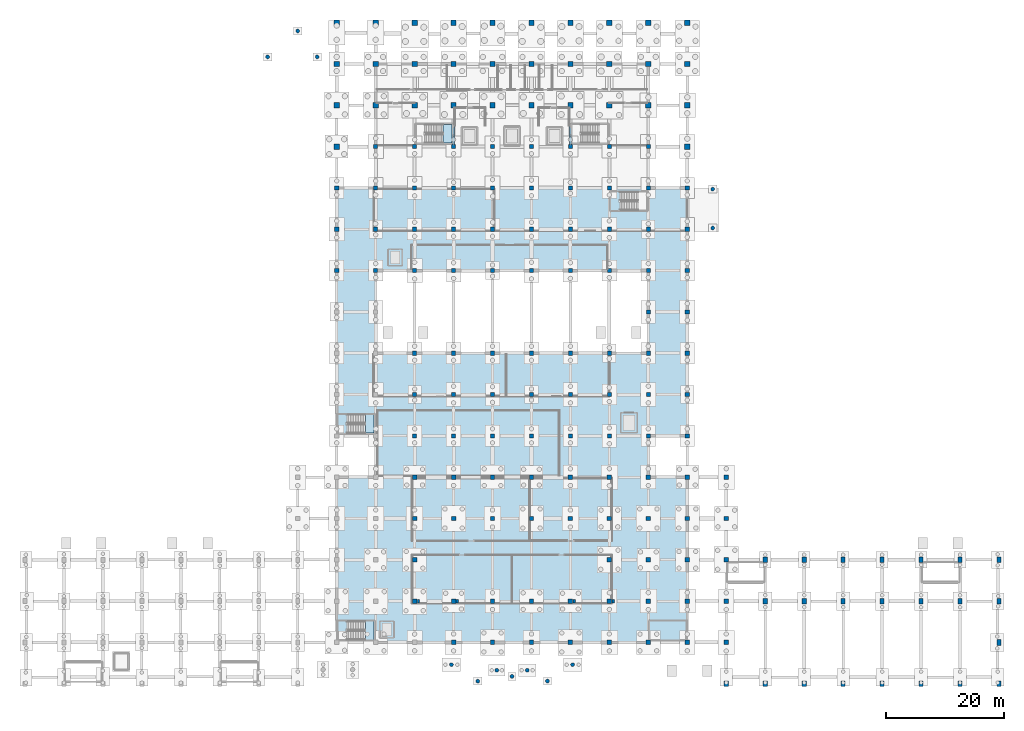
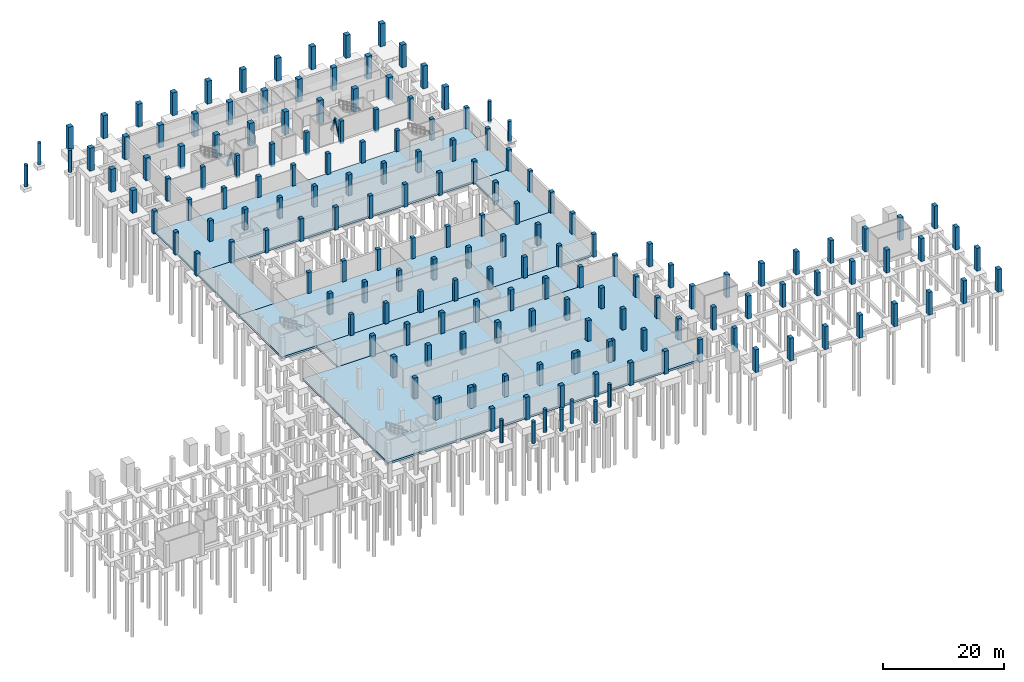
# One storey, part 13 of 27: 175 columns, 9 slabs, 4 members, 3 elements without a shape of their own.
"""IFC4 building model written with IfcOpenShell, lengths in metres."""

from ifc_helpers import new_model, si_unit, direction, frame, origin, origin_2d, place, context, subcontext, project, spatial, polyline, rectangle, circle, i_section, outline, extrude, material, layer, layer_set, material_profile, profile_set, type_object, element, aggregate, save


model = new_model("IFC4")

# Units and contexts
model_context = context("Model", 3, precision=1e-05, world=origin(), true_north=direction((0.0, 1.0)))
body_context = subcontext(model_context, "Body", "Model", "MODEL_VIEW")
ifc_project = project(units=[si_unit("LENGTHUNIT", "METRE"), si_unit("AREAUNIT", "SQUARE_METRE"), si_unit("VOLUMEUNIT", "CUBIC_METRE"), si_unit("PLANEANGLEUNIT", "RADIAN"), si_unit("MASSUNIT", "GRAM", prefix="KILO")], contexts=[model_context])

# Site, building, storey
site_placement = place(None, origin())
site = spatial("IfcSite", under=ifc_project, at=site_placement, CompositionType="ELEMENT")
building_placement = place(site_placement, origin())
building = spatial("IfcBuilding", under=site, at=building_placement, Name="Ciguamira Faculty of Natural Sciences", CompositionType="ELEMENT")
storey_placement = place(building_placement, frame((0.0, 0.0, -4.199951171875)))
storey = spatial("IfcBuildingStorey", under=building, at=storey_placement, Name="B1", CompositionType="ELEMENT", Elevation=-4.199951171875)

# Columns
ifc_material_1 = material(Name="Concrete C45/55", Category="concrete")
ifc_material_profile_1 = material_profile(ifc_material_1, rectangle(XDim=0.89990234375, YDim=0.89990234375, at=origin_2d()), Name="RC-COL-900X900")
ifc_profile_set_1 = profile_set([ifc_material_profile_1], Name="Concrete C45/55")
column_type_1 = type_object("IfcColumnType", Name="Col_C-01_RC-COL-900X900", PredefinedType="COLUMN", material=ifc_profile_set_1)
for number, where, z_axis, x_axis, name in (
    (1, (57.300048828125, 94.0, -0.400146484375), (0.0, 0.0, 1.0), (1.0, 0.0, 0.0), "B1 column 9/P"),
    (2, (57.300048828125, 101.0, -0.400146484375), (0.0, 0.0, 1.0), (1.0, 0.0, 0.0), "B1 column 9/Q"),
    (3, (57.300048828125, 108.0, -0.400146484375), (0.0, 0.0, 1.0), (1.0, 0.0, 0.0), "B1 column 9/R"),
    (4, (57.300048828125, 115.0, -0.400146484375), (0.0, 0.0, 1.0), (1.0, 0.0, 0.0), "B1 column 9/S"),
    (5, (63.89990234375, 101.0, -0.400146484375), (0.0, 0.0, 1.0), (1.0, 0.0, 0.0), "B1 column 10/Q"),
    (6, (63.89990234375, 108.0, -0.400146484375), (0.0, 0.0, 1.0), (1.0, 0.0, 0.0), "B1 column 10/R"),
    (7, (63.89990234375, 115.0, -0.400146484375), (0.0, 0.0, 1.0), (1.0, 0.0, 0.0), "B1 column 10/S"),
    (8, (70.5, 101.0, -0.400146484375), (0.0, 0.0, 1.0), (1.0, 0.0, 0.0), "B1 column 11/Q"),
    (9, (70.5, 108.0, -0.400146484375), (0.0, 0.0, 1.0), (1.0, 0.0, 0.0), "B1 column 11/R"),
    (10, (70.5, 115.0, -0.400146484375), (0.0, 0.0, 1.0), (1.0, 0.0, 0.0), "B1 column 11/S"),
    (11, (77.10009765625, 101.0, -0.400146484375), (0.0, 0.0, 1.0), (1.0, 0.0, 0.0), "B1 column 12/Q"),
    (12, (77.10009765625, 108.0, -0.400146484375), (0.0, 0.0, 1.0), (1.0, 0.0, 0.0), "B1 column 12/R"),
    (13, (77.10009765625, 115.0, -0.400146484375), (0.0, 0.0, 1.0), (1.0, 0.0, 0.0), "B1 column 12/S"),
    (14, (83.699951171875, 101.0, -0.400146484375), (0.0, 0.0, 1.0), (1.0, 0.0, 0.0), "B1 column 13/Q"),
    (15, (83.699951171875, 108.0, -0.400146484375), (0.0, 0.0, 1.0), (1.0, 0.0, 0.0), "B1 column 13/R"),
    (16, (83.699951171875, 115.0, -0.400146484375), (0.0, 0.0, 1.0), (1.0, 0.0, 0.0), "B1 column 13/S"),
    (17, (90.300048828125, 101.0, -0.400146484375), (0.0, 0.0, 1.0), (1.0, 0.0, 0.0), "B1 column 14/Q"),
    (18, (90.300048828125, 108.0, -0.400146484375), (0.0, 0.0, 1.0), (1.0, 0.0, 0.0), "B1 column 14/R"),
    (19, (90.300048828125, 115.0, -0.400146484375), (0.0, 0.0, 1.0), (1.0, 0.0, 0.0), "B1 column 14/S"),
    (20, (96.89990234375, 101.0, -0.400146484375), (0.0, 0.0, 1.0), (1.0, 0.0, 0.0), "B1 column 15/Q"),
    (21, (96.89990234375, 108.0, -0.400146484375), (0.0, 0.0, 1.0), (1.0, 0.0, 0.0), "B1 column 15/R"),
    (22, (96.89990234375, 115.0, -0.400146484375), (0.0, 0.0, 1.0), (1.0, 0.0, 0.0), "B1 column 15/S"),
    (23, (103.5, 101.0, -0.400146484375), (0.0, 0.0, 1.0), (1.0, 0.0, 0.0), "B1 column 16/Q"),
    (24, (103.5, 108.0, -0.400146484375), (0.0, 0.0, 1.0), (1.0, 0.0, 0.0), "B1 column 16/R"),
    (25, (103.5, 115.0, -0.400146484375), (0.0, 0.0, 1.0), (1.0, 0.0, 0.0), "B1 column 16/S"),
    (26, (110.10009765625, 101.0, -0.400146484375), (0.0, 0.0, 1.0), (1.0, 0.0, 0.0), "B1 column 17/Q"),
    (27, (110.10009765625, 108.0, -0.400146484375), (0.0, 0.0, 1.0), (1.0, 0.0, 0.0), "B1 column 17/R"),
    (28, (110.10009765625, 115.0, -0.400146484375), (0.0, 0.0, 1.0), (1.0, 0.0, 0.0), "B1 column 17/S"),
    (29, (116.699951171875, 94.0, -0.400146484375), (0.0, 0.0, 1.0), (1.0, 0.0, 0.0), "B1 column 18/P"),
    (30, (116.699951171875, 101.0, -0.400146484375), (0.0, 0.0, 1.0), (1.0, 0.0, 0.0), "B1 column 18/Q"),
    (31, (116.699951171875, 108.0, -0.400146484375), (0.0, 0.0, 1.0), (1.0, 0.0, 0.0), "B1 column 18/R"),
    (32, (116.699951171875, 115.0, -0.400146484375), (0.0, 0.0, 1.0), (1.0, 0.0, 0.0), "B1 column 18/S"),
):
    element("IfcColumn", number, at=place(storey_placement, frame(where, z_axis=z_axis, x_axis=x_axis)), inside=storey, type_object=column_type_1, Name=name, PredefinedType="COLUMN", context=body_context, shape_type="SweptSolid", body=[
        extrude(rectangle(XDim=0.89990234375, YDim=0.89990234375, at=origin_2d()), origin(), (0.0, 0.0, 1.0), 4.60009765625),
    ])
ifc_material_profile_2 = material_profile(ifc_material_1, rectangle(XDim=0.75, YDim=0.75, at=origin_2d()), Name="RC-COL-750X750")
ifc_profile_set_2 = profile_set([ifc_material_profile_2], Name="Concrete C45/55")
column_type_2 = type_object("IfcColumnType", Name="Col_C-04_RC-COL-750X750", PredefinedType="COLUMN", material=ifc_profile_set_2)
for number, where, z_axis, x_axis, name in (
    (33, (70.5, 17.0, -0.400146484375), (0.0, 0.0, 1.0), (1.0, 0.0, 0.0), "B1 column 11/C"),
    (34, (70.5, 24.0, -0.400146484375), (0.0, 0.0, 1.0), (1.0, 0.0, 0.0), "B1 column 11/D"),
    (35, (70.5, 31.0, -0.400146484375), (0.0, 0.0, 1.0), (1.0, 0.0, 0.0), "B1 column 11/E"),
    (36, (70.5, 38.0, -0.400146484375), (0.0, 0.0, 1.0), (1.0, 0.0, 0.0), "B1 column 11/F"),
    (37, (77.10009765625, 10.0, -0.400146484375), (0.0, 0.0, 1.0), (1.0, 0.0, 0.0), "B1 column 12/B"),
    (38, (77.10009765625, 17.0, -0.400146484375), (0.0, 0.0, 1.0), (1.0, 0.0, 0.0), "B1 column 12/C"),
    (39, (77.10009765625, 31.0, -0.400146484375), (0.0, 0.0, 1.0), (1.0, 0.0, 0.0), "B1 column 12/E"),
    (40, (77.10009765625, 38.0, -0.400146484375), (0.0, 0.0, 1.0), (1.0, 0.0, 0.0), "B1 column 12/F"),
    (41, (83.699951171875, 10.0, -0.400146484375), (0.0, 0.0, 1.0), (1.0, 0.0, 0.0), "B1 column 13/B"),
    (42, (83.699951171875, 17.0, -0.400146484375), (0.0, 0.0, 1.0), (1.0, 0.0, 0.0), "B1 column 13/C"),
    (43, (83.699951171875, 31.0, -0.400146484375), (0.0, 0.0, 1.0), (1.0, 0.0, 0.0), "B1 column 13/E"),
    (44, (83.699951171875, 38.0, -0.400146484375), (0.0, 0.0, 1.0), (1.0, 0.0, 0.0), "B1 column 13/F"),
    (45, (90.300048828125, 10.0, -0.400146484375), (0.0, 0.0, 1.0), (1.0, 0.0, 0.0), "B1 column 14/B"),
    (46, (90.300048828125, 17.0, -0.400146484375), (0.0, 0.0, 1.0), (1.0, 0.0, 0.0), "B1 column 14/C"),
    (47, (90.300048828125, 31.0, -0.400146484375), (0.0, 0.0, 1.0), (1.0, 0.0, 0.0), "B1 column 14/E"),
    (48, (90.300048828125, 38.0, -0.400146484375), (0.0, 0.0, 1.0), (1.0, 0.0, 0.0), "B1 column 14/F"),
    (49, (96.89990234375, 10.0, -0.400146484375), (0.0, 0.0, 1.0), (1.0, 0.0, 0.0), "B1 column 15/B"),
    (50, (96.89990234375, 17.0, -0.400146484375), (0.0, 0.0, 1.0), (1.0, 0.0, 0.0), "B1 column 15/C"),
    (51, (96.89990234375, 31.0, -0.400146484375), (0.0, 0.0, 1.0), (1.0, 0.0, 0.0), "B1 column 15/E"),
    (52, (96.89990234375, 38.0, -0.400146484375), (0.0, 0.0, 1.0), (1.0, 0.0, 0.0), "B1 column 15/F"),
    (53, (103.5, 10.0, -0.400146484375), (0.0, 0.0, 1.0), (1.0, 0.0, 0.0), "B1 column 16/B"),
    (54, (103.5, 17.0, -0.400146484375), (0.0, 0.0, 1.0), (1.0, 0.0, 0.0), "B1 column 16/C"),
    (55, (103.5, 24.0, -0.400146484375), (0.0, 0.0, 1.0), (1.0, 0.0, 0.0), "B1 column 16/D"),
    (56, (103.5, 31.0, -0.400146484375), (0.0, 0.0, 1.0), (1.0, 0.0, 0.0), "B1 column 16/E"),
    (57, (103.5, 38.0, -0.400146484375), (0.0, 0.0, 1.0), (1.0, 0.0, 0.0), "B1 column 16/F"),
    (58, (110.10009765625, 10.0, -0.400146484375), (0.0, 0.0, 1.0), (1.0, 0.0, 0.0), "B1 column 17/B"),
    (59, (110.10009765625, 17.0, -0.400146484375), (0.0, 0.0, 1.0), (1.0, 0.0, 0.0), "B1 column 17/C"),
    (60, (110.10009765625, 24.0, -0.400146484375), (0.0, 0.0, 1.0), (1.0, 0.0, 0.0), "B1 column 17/D"),
    (61, (110.10009765625, 31.0, -0.400146484375), (0.0, 0.0, 1.0), (1.0, 0.0, 0.0), "B1 column 17/E"),
    (62, (110.10009765625, 38.0, -0.400146484375), (0.0, 0.0, 1.0), (1.0, 0.0, 0.0), "B1 column 17/F"),
    (63, (116.699951171875, 10.0, -0.400146484375), (0.0, 0.0, 1.0), (1.0, 0.0, 0.0), "B1 column 18/B"),
    (64, (116.699951171875, 17.0, -0.400146484375), (0.0, 0.0, 1.0), (1.0, 0.0, 0.0), "B1 column 18/C"),
    (65, (116.699951171875, 24.0, -0.400146484375), (0.0, 0.0, 1.0), (1.0, 0.0, 0.0), "B1 column 18/D"),
    (66, (116.699951171875, 31.0, -0.400146484375), (0.0, 0.0, 1.0), (1.0, 0.0, 0.0), "B1 column 18/E"),
    (67, (116.699951171875, 38.0, -0.400146484375), (0.0, 0.0, 1.0), (1.0, 0.0, 0.0), "B1 column 18/F"),
    (68, (123.300048828125, 10.0, -0.400146484375), (0.0, 0.0, 1.0), (1.0, 0.0, 0.0), "B1 column 19/B"),
    (69, (123.300048828125, 17.0, -0.400146484375), (0.0, 0.0, 1.0), (1.0, 0.0, 0.0), "B1 column 19/C"),
    (70, (123.300048828125, 24.0, -0.400146484375), (0.0, 0.0, 1.0), (1.0, 0.0, 0.0), "B1 column 19/D"),
    (71, (123.300048828125, 31.0, -0.400146484375), (0.0, 0.0, 1.0), (1.0, 0.0, 0.0), "B1 column 19/E"),
    (72, (123.300048828125, 38.0, -0.400146484375), (0.0, 0.0, 1.0), (1.0, 0.0, 0.0), "B1 column 19/F"),
):
    element("IfcColumn", number, at=place(storey_placement, frame(where, z_axis=z_axis, x_axis=x_axis)), inside=storey, type_object=column_type_2, Name=name, PredefinedType="COLUMN", context=body_context, shape_type="SweptSolid", body=[
        extrude(rectangle(XDim=0.75, YDim=0.75, at=origin_2d()), origin(), (0.0, 0.0, 1.0), 4.60009765625),
    ])
ifc_material_2 = material(Name="Concrete C40/50", Category="concrete")
ifc_material_profile_3 = material_profile(ifc_material_2, rectangle(XDim=0.699951171875, YDim=0.699951171875, at=origin_2d()), Name="RC-COL-700X700")
ifc_profile_set_3 = profile_set([ifc_material_profile_3], Name="Concrete C40/50")
column_type_3 = type_object("IfcColumnType", Name="Col_C-05_RC-COL-700X700", PredefinedType="COLUMN", material=ifc_profile_set_3)
for number, where, z_axis, x_axis, name in (
    (73, (57.300048828125, 73.0, -0.400146484375), (0.0, 0.0, 1.0), (1.0, 0.0, 0.0), "B1 column 9/L"),
    (74, (57.300048828125, 80.0, -0.400146484375), (0.0, 0.0, 1.0), (1.0, 0.0, 0.0), "B1 column 9/M"),
    (75, (57.300048828125, 87.0, -0.400146484375), (0.0, 0.0, 1.0), (1.0, 0.0, 0.0), "B1 column 9/N"),
    (76, (63.89990234375, 73.0, -0.400146484375), (0.0, 0.0, 1.0), (1.0, 0.0, 0.0), "B1 column 10/L"),
    (77, (63.89990234375, 80.0, -0.400146484375), (0.0, 0.0, 1.0), (1.0, 0.0, 0.0), "B1 column 10/M"),
    (78, (63.89990234375, 87.0, -0.400146484375), (0.0, 0.0, 1.0), (1.0, 0.0, 0.0), "B1 column 10/N"),
    (79, (63.89990234375, 94.0, -0.400146484375), (0.0, 0.0, 1.0), (1.0, 0.0, 0.0), "B1 column 10/P"),
    (80, (70.5, 45.0, -0.400146484375), (0.0, 0.0, 1.0), (1.0, 0.0, 0.0), "B1 column 11/G"),
    (81, (70.5, 52.0, -0.400146484375), (0.0, 0.0, 1.0), (1.0, 0.0, 0.0), "B1 column 11/H"),
    (82, (70.5, 59.0, -0.400146484375), (0.0, 0.0, 1.0), (1.0, 0.0, 0.0), "B1 column 11/J"),
    (83, (70.5, 73.0, -0.400146484375), (0.0, 0.0, 1.0), (1.0, 0.0, 0.0), "B1 column 11/L"),
    (84, (70.5, 80.0, -0.400146484375), (0.0, 0.0, 1.0), (1.0, 0.0, 0.0), "B1 column 11/M"),
    (85, (70.5, 87.0, -0.400146484375), (0.0, 0.0, 1.0), (1.0, 0.0, 0.0), "B1 column 11/N"),
    (86, (70.5, 94.0, -0.400146484375), (0.0, 0.0, 1.0), (1.0, 0.0, 0.0), "B1 column 11/P"),
    (87, (77.10009765625, 45.0, -0.400146484375), (0.0, 0.0, 1.0), (1.0, 0.0, 0.0), "B1 column 12/G"),
    (88, (77.10009765625, 52.0, -0.400146484375), (0.0, 0.0, 1.0), (1.0, 0.0, 0.0), "B1 column 12/H"),
    (89, (77.10009765625, 59.0, -0.400146484375), (0.0, 0.0, 1.0), (1.0, 0.0, 0.0), "B1 column 12/J"),
    (90, (77.10009765625, 73.0, -0.400146484375), (0.0, 0.0, 1.0), (1.0, 0.0, 0.0), "B1 column 12/L"),
    (91, (77.10009765625, 80.0, -0.400146484375), (0.0, 0.0, 1.0), (1.0, 0.0, 0.0), "B1 column 12/M"),
    (92, (77.10009765625, 87.0, -0.400146484375), (0.0, 0.0, 1.0), (1.0, 0.0, 0.0), "B1 column 12/N"),
    (93, (77.10009765625, 94.0, -0.400146484375), (0.0, 0.0, 1.0), (1.0, 0.0, 0.0), "B1 column 12/P"),
    (94, (83.699951171875, 45.0, -0.400146484375), (0.0, 0.0, 1.0), (1.0, 0.0, 0.0), "B1 column 13/G"),
    (95, (83.699951171875, 52.0, -0.400146484375), (0.0, 0.0, 1.0), (1.0, 0.0, 0.0), "B1 column 13/H"),
    (96, (83.699951171875, 59.0, -0.400146484375), (0.0, 0.0, 1.0), (1.0, 0.0, 0.0), "B1 column 13/J"),
    (97, (83.699951171875, 73.0, -0.400146484375), (0.0, 0.0, 1.0), (1.0, 0.0, 0.0), "B1 column 13/L"),
    (98, (83.699951171875, 80.0, -0.400146484375), (0.0, 0.0, 1.0), (1.0, 0.0, 0.0), "B1 column 13/M"),
    (99, (83.699951171875, 87.0, -0.400146484375), (0.0, 0.0, 1.0), (1.0, 0.0, 0.0), "B1 column 13/N"),
    (100, (83.699951171875, 94.0, -0.400146484375), (0.0, 0.0, 1.0), (1.0, 0.0, 0.0), "B1 column 13/P"),
    (101, (90.300048828125, 45.0, -0.400146484375), (0.0, 0.0, 1.0), (1.0, 0.0, 0.0), "B1 column 14/G"),
    (102, (90.300048828125, 52.0, -0.400146484375), (0.0, 0.0, 1.0), (1.0, 0.0, 0.0), "B1 column 14/H"),
    (103, (90.300048828125, 59.0, -0.400146484375), (0.0, 0.0, 1.0), (1.0, 0.0, 0.0), "B1 column 14/J"),
    (104, (90.300048828125, 73.0, -0.400146484375), (0.0, 0.0, 1.0), (1.0, 0.0, 0.0), "B1 column 14/L"),
    (105, (90.300048828125, 80.0, -0.400146484375), (0.0, 0.0, 1.0), (1.0, 0.0, 0.0), "B1 column 14/M"),
    (106, (90.300048828125, 87.0, -0.400146484375), (0.0, 0.0, 1.0), (1.0, 0.0, 0.0), "B1 column 14/N"),
    (107, (90.300048828125, 94.0, -0.400146484375), (0.0, 0.0, 1.0), (1.0, 0.0, 0.0), "B1 column 14/P"),
    (108, (96.89990234375, 45.0, -0.400146484375), (0.0, 0.0, 1.0), (1.0, 0.0, 0.0), "B1 column 15/G"),
    (109, (96.89990234375, 52.0, -0.400146484375), (0.0, 0.0, 1.0), (1.0, 0.0, 0.0), "B1 column 15/H"),
    (110, (96.89990234375, 59.0, -0.400146484375), (0.0, 0.0, 1.0), (1.0, 0.0, 0.0), "B1 column 15/J"),
    (111, (96.89990234375, 73.0, -0.400146484375), (0.0, 0.0, 1.0), (1.0, 0.0, 0.0), "B1 column 15/L"),
    (112, (96.89990234375, 80.0, -0.400146484375), (0.0, 0.0, 1.0), (1.0, 0.0, 0.0), "B1 column 15/M"),
    (113, (96.89990234375, 87.0, -0.400146484375), (0.0, 0.0, 1.0), (1.0, 0.0, 0.0), "B1 column 15/N"),
    (114, (96.89990234375, 94.0, -0.400146484375), (0.0, 0.0, 1.0), (1.0, 0.0, 0.0), "B1 column 15/P"),
    (115, (103.5, 45.0, -0.400146484375), (0.0, 0.0, 1.0), (1.0, 0.0, 0.0), "B1 column 16/G"),
    (116, (103.5, 52.0, -0.400146484375), (0.0, 0.0, 1.0), (1.0, 0.0, 0.0), "B1 column 16/H"),
    (117, (103.5, 59.0, -0.400146484375), (0.0, 0.0, 1.0), (1.0, 0.0, 0.0), "B1 column 16/J"),
    (118, (103.5, 73.0, -0.400146484375), (0.0, 0.0, 1.0), (1.0, 0.0, 0.0), "B1 column 16/L"),
    (119, (103.5, 80.0, -0.400146484375), (0.0, 0.0, 1.0), (1.0, 0.0, 0.0), "B1 column 16/M"),
    (120, (103.5, 87.0, -0.400146484375), (0.0, 0.0, 1.0), (1.0, 0.0, 0.0), "B1 column 16/N"),
    (121, (103.5, 94.0, -0.400146484375), (0.0, 0.0, 1.0), (1.0, 0.0, 0.0), "B1 column 16/P"),
    (122, (110.10009765625, 45.0, -0.400146484375), (0.0, 0.0, 1.0), (1.0, 0.0, 0.0), "B1 column 17/G"),
    (123, (110.10009765625, 52.0, -0.400146484375), (0.0, 0.0, 1.0), (1.0, 0.0, 0.0), "B1 column 17/H"),
    (124, (110.10009765625, 59.0, -0.400146484375), (0.0, 0.0, 1.0), (1.0, 0.0, 0.0), "B1 column 17/J"),
    (125, (110.10009765625, 66.0, -0.400146484375), (0.0, 0.0, 1.0), (1.0, 0.0, 0.0), "B1 column 17/K"),
    (126, (110.10009765625, 73.0, -0.400146484375), (0.0, 0.0, 1.0), (1.0, 0.0, 0.0), "B1 column 17/L"),
    (127, (110.10009765625, 80.0, -0.400146484375), (0.0, 0.0, 1.0), (1.0, 0.0, 0.0), "B1 column 17/M"),
    (128, (110.10009765625, 87.0, -0.400146484375), (0.0, 0.0, 1.0), (1.0, 0.0, 0.0), "B1 column 17/N"),
    (129, (110.10009765625, 94.0, -0.400146484375), (0.0, 0.0, 1.0), (1.0, 0.0, 0.0), "B1 column 17/P"),
    (130, (116.699951171875, 45.0, -0.400146484375), (0.0, 0.0, 1.0), (1.0, 0.0, 0.0), "B1 column 18/G"),
    (131, (116.699951171875, 52.0, -0.400146484375), (0.0, 0.0, 1.0), (1.0, 0.0, 0.0), "B1 column 18/H"),
    (132, (116.699951171875, 59.0, -0.400146484375), (0.0, 0.0, 1.0), (1.0, 0.0, 0.0), "B1 column 18/J"),
    (133, (116.699951171875, 66.0, -0.400146484375), (0.0, 0.0, 1.0), (1.0, 0.0, 0.0), "B1 column 18/K"),
    (134, (116.699951171875, 73.0, -0.400146484375), (0.0, 0.0, 1.0), (1.0, 0.0, 0.0), "B1 column 18/L"),
    (135, (116.699951171875, 80.0, -0.400146484375), (0.0, 0.0, 1.0), (1.0, 0.0, 0.0), "B1 column 18/M"),
    (136, (116.699951171875, 87.0, -0.400146484375), (0.0, 0.0, 1.0), (1.0, 0.0, 0.0), "B1 column 18/N"),
):
    element("IfcColumn", number, at=place(storey_placement, frame(where, z_axis=z_axis, x_axis=x_axis)), inside=storey, type_object=column_type_3, Name=name, PredefinedType="COLUMN", context=body_context, shape_type="SweptSolid", body=[
        extrude(rectangle(XDim=0.699951171875, YDim=0.699951171875, at=origin_2d()), origin(), (0.0, 0.0, 1.0), 4.60009765625),
    ])
ifc_material_profile_4 = material_profile(ifc_material_1, rectangle(XDim=0.699951171875, YDim=0.949951171875, at=origin_2d()), Name="RC-COL-700X950")
ifc_profile_set_4 = profile_set([ifc_material_profile_4], Name="Concrete C45/55")
column_type_4 = type_object("IfcColumnType", Name="Col_C-11_RC-COL-700X950", PredefinedType="COLUMN", material=ifc_profile_set_4)
for number, where, z_axis, x_axis, name in (
    (137, (123.300048828125, 3.0, -0.400146484375), (0.0, 0.0, 1.0), (1.0, 0.0, 0.0), "B1 column 19/A"),
    (138, (129.89990234375, 3.0, -0.400146484375), (0.0, 0.0, 1.0), (1.0, 0.0, 0.0), "B1 column 20/A"),
    (139, (129.89990234375, 17.0, -0.400146484375), (0.0, 0.0, 1.0), (1.0, 0.0, 0.0), "B1 column 20/C"),
    (140, (129.89990234375, 24.0, -0.400146484375), (0.0, 0.0, 1.0), (1.0, 0.0, 0.0), "B1 column 20/D"),
    (141, (136.5, 3.0, -0.400146484375), (0.0, 0.0, 1.0), (1.0, 0.0, 0.0), "B1 column 21/A"),
    (142, (136.5, 17.0, -0.400146484375), (0.0, 0.0, 1.0), (1.0, 0.0, 0.0), "B1 column 21/C"),
    (143, (136.5, 24.0, -0.400146484375), (0.0, 0.0, 1.0), (1.0, 0.0, 0.0), "B1 column 21/D"),
    (144, (143.10009765625, 3.0, -0.400146484375), (0.0, 0.0, 1.0), (1.0, 0.0, 0.0), "B1 column 22/A"),
    (145, (143.10009765625, 17.0, -0.400146484375), (0.0, 0.0, 1.0), (1.0, 0.0, 0.0), "B1 column 22/C"),
    (146, (143.10009765625, 24.0, -0.400146484375), (0.0, 0.0, 1.0), (1.0, 0.0, 0.0), "B1 column 22/D"),
    (147, (149.699951171875, 3.0, -0.400146484375), (0.0, 0.0, 1.0), (1.0, 0.0, 0.0), "B1 column 23/A"),
    (148, (149.699951171875, 17.0, -0.400146484375), (0.0, 0.0, 1.0), (1.0, 0.0, 0.0), "B1 column 23/C"),
    (149, (149.699951171875, 24.0, -0.400146484375), (0.0, 0.0, 1.0), (1.0, 0.0, 0.0), "B1 column 23/D"),
    (150, (156.300048828125, 3.0, -0.400146484375), (0.0, 0.0, 1.0), (1.0, 0.0, 0.0), "B1 column 24/A"),
    (151, (156.300048828125, 17.0, -0.400146484375), (0.0, 0.0, 1.0), (1.0, 0.0, 0.0), "B1 column 24/C"),
    (152, (156.300048828125, 24.0, -0.400146484375), (0.0, 0.0, 1.0), (1.0, 0.0, 0.0), "B1 column 24/D"),
    (153, (162.89990234375, 3.0, -0.400146484375), (0.0, 0.0, 1.0), (1.0, 0.0, 0.0), "B1 column 25/A"),
    (154, (162.89990234375, 17.0, -0.400146484375), (0.0, 0.0, 1.0), (1.0, 0.0, 0.0), "B1 column 25/C"),
    (155, (162.89990234375, 24.0, -0.400146484375), (0.0, 0.0, 1.0), (1.0, 0.0, 0.0), "B1 column 25/D"),
    (156, (169.5, 3.0, -0.400146484375), (0.0, 0.0, 1.0), (1.0, 0.0, 0.0), "B1 column 26/A"),
    (157, (169.5, 10.0, -0.400146484375), (0.0, 0.0, 1.0), (1.0, 0.0, 0.0), "B1 column 26/B"),
    (158, (169.5, 17.0, -0.400146484375), (0.0, 0.0, 1.0), (1.0, 0.0, 0.0), "B1 column 26/C"),
    (159, (169.5, 24.0, -0.400146484375), (0.0, 0.0, 1.0), (1.0, 0.0, 0.0), "B1 column 26/D"),
):
    element("IfcColumn", number, at=place(storey_placement, frame(where, z_axis=z_axis, x_axis=x_axis)), inside=storey, type_object=column_type_4, Name=name, PredefinedType="COLUMN", context=body_context, shape_type="SweptSolid", body=[
        extrude(rectangle(XDim=0.699951171875, YDim=0.949951171875, at=origin_2d()), origin(), (0.0, 0.0, 1.0), 4.60009765625),
    ])
ifc_material_profile_5 = material_profile(ifc_material_2, circle(Radius=0.324951171875, at=origin_2d()), Name="RC-RND-650")
ifc_profile_set_5 = profile_set([ifc_material_profile_5], Name="Concrete C40/50")
column_type_5 = type_object("IfcColumnType", Name="Col_C-18_RC-RND-650", PredefinedType="COLUMN", material=ifc_profile_set_5)
for number, where, z_axis, x_axis, name in (
    (160, (76.7333984375, 6.236572265625, -0.400146484375), (0.0, 0.0, 1.0), (1.0, 0.0, 0.0), "B1 south arc colonnade column 1"),
    (161, (84.433349609375, 5.291259765625, -0.400146484375), (0.0, 0.0, 1.0), (1.0, 0.0, 0.0), "B1 south arc colonnade column 2"),
    (162, (89.566650390625, 5.291259765625, -0.400146484375), (0.0, 0.0, 1.0), (1.0, 0.0, 0.0), "B1 south arc colonnade column 3"),
    (163, (97.2666015625, 6.236572265625, -0.400146484375), (0.0, 0.0, 1.0), (1.0, 0.0, 0.0), "B1 south arc colonnade column 4"),
):
    element("IfcColumn", number, at=place(storey_placement, frame(where, z_axis=z_axis, x_axis=x_axis)), inside=storey, type_object=column_type_5, Name=name, PredefinedType="COLUMN", context=body_context, shape_type="SweptSolid", body=[
        extrude(circle(Radius=0.324951171875, at=origin_2d()), origin(), (0.0, 0.0, 1.0), 4.60009765625),
    ])
for number, where, z_axis, x_axis, name in (
    (164, (45.60009765625, 109.199951171875, -0.400146484375), (0.0, 0.0, 1.0), (1.0, 0.0, 0.0), "B1 exterior slab support pier SIDEWALK1"),
    (165, (54.0, 109.199951171875, -0.400146484375), (0.0, 0.0, 1.0), (1.0, 0.0, 0.0), "B1 exterior slab support pier SIDEWALK2"),
    (166, (50.699951171875, 113.60009765625, -0.400146484375), (0.0, 0.0, 1.0), (1.0, 0.0, 0.0), "B1 exterior slab support pier SIDEWALK3"),
    (167, (81.199951171875, 3.449951171875, -0.400146484375), (0.0, 0.0, 1.0), (1.0, 0.0, 0.0), "B1 exterior slab support pier ARCPAD1"),
    (168, (93.0, 3.449951171875, -0.400146484375), (0.0, 0.0, 1.0), (1.0, 0.0, 0.0), "B1 exterior slab support pier ARCPAD2"),
    (169, (87.0, 4.25, -0.400146484375), (0.0, 0.0, 1.0), (1.0, 0.0, 0.0), "B1 exterior slab support pier ARCPAD3"),
    (170, (121.0, 80.199951171875, -0.400146484375), (0.0, 0.0, 1.0), (1.0, 0.0, 0.0), "B1 exterior slab support pier ELAB1"),
    (171, (121.0, 86.800048828125, -0.400146484375), (0.0, 0.0, 1.0), (1.0, 0.0, 0.0), "B1 exterior slab support pier ELAB2"),
):
    element("IfcColumn", number, at=place(storey_placement, frame(where, z_axis=z_axis, x_axis=x_axis)), inside=storey, type_object=column_type_5, Name=name, PredefinedType="COLUMN", context=body_context, shape_type="SweptSolid", body=[
        extrude(circle(Radius=0.324951171875, at=origin_2d()), origin(), (0.0, 0.0, 1.0), 4.420166015625),
    ])
ifc_material_profile_6 = material_profile(ifc_material_2, rectangle(XDim=0.39990234375, YDim=0.60009765625, at=origin_2d()), Name="RC-PIL-400X600")
ifc_profile_set_6 = profile_set([ifc_material_profile_6], Name="Concrete C40/50")
column_type_6 = type_object("IfcColumnType", Name="Pilaster_PL-01_RC-PIL-400X600", PredefinedType="PILASTER", material=ifc_profile_set_6)
for number, where, z_axis, x_axis, name in (
    (172, (71.14990234375, 17.0, -0.400146484375), (0.0, 0.0, 1.0), (1.0, 0.0, 0.0), "B1 atrium colonnade pilaster A11"),
    (173, (77.75, 17.0, -0.400146484375), (0.0, 0.0, 1.0), (1.0, 0.0, 0.0), "B1 atrium colonnade pilaster A12"),
    (174, (97.550048828125, 17.0, -0.400146484375), (0.0, 0.0, 1.0), (1.0, 0.0, 0.0), "B1 atrium colonnade pilaster A15"),
    (175, (104.14990234375, 17.0, -0.400146484375), (0.0, 0.0, 1.0), (1.0, 0.0, 0.0), "B1 atrium colonnade pilaster A16"),
):
    element("IfcColumn", number, at=place(storey_placement, frame(where, z_axis=z_axis, x_axis=x_axis)), inside=storey, type_object=column_type_6, Name=name, PredefinedType="PILASTER", context=body_context, shape_type="SweptSolid", body=[
        extrude(rectangle(XDim=0.39990234375, YDim=0.60009765625, at=origin_2d()), origin(), (0.0, 0.0, 1.0), 4.60009765625),
    ])

# Members
ifc_material_3 = material(Name="Steel ASTM A992 Grade 50", Category="steel")
ifc_material_profile_7 = material_profile(ifc_material_3, i_section(OverallWidth=0.368408203125, OverallDepth=0.355712890625, WebThickness=0.01123046875, FlangeThickness=0.01806640625, at=origin_2d()), Name="W14X90")
ifc_profile_set_7 = profile_set([ifc_material_profile_7], Name="Steel ASTM A992 Grade 50")
member_type_1 = type_object("IfcMemberType", Name="SteelMember_BR-01_W14X90", PredefinedType="BRACE", material=ifc_profile_set_7)
for number, where, z_axis, x_axis, name in (
    (176, (77.10009765625, 94.35009765625, 0.0), (0.0, 0.401669190317, 0.915784833653), (-1.0, 0.0, 0.0), "B1 lateral chevron brace 001"),
    (177, (77.10009765625, 97.35009765625, 0.0), (0.0, -0.401669190317, 0.915784833653), (1.0, 0.0, 0.0), "B1 lateral chevron brace 002"),
):
    element("IfcMember", number, at=place(storey_placement, frame(where, z_axis=z_axis, x_axis=x_axis)), inside=storey, type_object=member_type_1, Name=name, PredefinedType="BRACE", context=body_context, shape_type="SweptSolid", body=[
        extrude(i_section(OverallWidth=0.368408203125, OverallDepth=0.355712890625, WebThickness=0.01123046875, FlangeThickness=0.01806640625, at=origin_2d()), origin(), (0.0, 0.0, 1.0), 3.734375),
    ])
ifc_material_profile_8 = material_profile(ifc_material_3, i_section(OverallWidth=0.370849609375, OverallDepth=0.36328125, WebThickness=0.013427734375, FlangeThickness=0.021728515625, at=origin_2d()), Name="W14X109")
ifc_profile_set_8 = profile_set([ifc_material_profile_8], Name="Steel ASTM A992 Grade 50")
member_type_2 = type_object("IfcMemberType", Name="SteelMember_BR-02_W14X109", PredefinedType="BRACE", material=ifc_profile_set_8)
for number, where, z_axis, x_axis, name in (
    (178, (96.89990234375, 94.35009765625, 0.0), (0.0, 0.401669190317, 0.915784833653), (-1.0, 0.0, 0.0), "B1 lateral chevron brace 003"),
    (179, (96.89990234375, 97.35009765625, 0.0), (0.0, -0.401669190317, 0.915784833653), (1.0, 0.0, 0.0), "B1 lateral chevron brace 004"),
):
    element("IfcMember", number, at=place(storey_placement, frame(where, z_axis=z_axis, x_axis=x_axis)), inside=storey, type_object=member_type_2, Name=name, PredefinedType="BRACE", context=body_context, shape_type="SweptSolid", body=[
        extrude(i_section(OverallWidth=0.370849609375, OverallDepth=0.36328125, WebThickness=0.013427734375, FlangeThickness=0.021728515625, at=origin_2d()), origin(), (0.0, 0.0, 1.0), 3.734375),
    ])

# Slabs
ifc_material_4 = material(Name="Concrete C35/45", Category="concrete")
ifc_layer_1 = layer(ifc_material_4, 0.39990234375, Name="Concrete C35/45")
ifc_layer_set_1 = layer_set([ifc_layer_1], Name="Concrete C35/45")
slab_type_1 = type_object("IfcSlabType", Name="Slab_SB-01_400", PredefinedType="BASESLAB", material=ifc_layer_set_1)
slab_1_placement = place(storey_placement, frame((0.0, 0.0, -0.400146484375)))
element("IfcSlab", 180, at=slab_1_placement, inside=storey, type_object=slab_type_1, Name="B1 V3 structural slab", PredefinedType="BASESLAB", context=body_context, shape_type="SweptSolid", body=[
    extrude(outline(polyline([(57.300048828125, 10.0), (116.25, 10.0), (116.25, 10.449951171875), (116.699951171875, 10.449951171875), (116.699951171875, 38.0), (57.300048828125, 38.0), (57.300048828125, 10.0)])), origin(), (0.0, 0.0, 1.0), 0.400146484375),
])
slab_2_placement = place(storey_placement, frame((0.0, 0.0, -0.400146484375)))
element("IfcSlab", 181, at=slab_2_placement, inside=storey, type_object=slab_type_1, Name="B1 V4C structural slab", PredefinedType="BASESLAB", context=body_context, shape_type="SweptSolid", body=[
    extrude(outline(polyline([(63.89990234375, 38.0), (109.64990234375, 38.0), (109.64990234375, 38.449951171875), (110.10009765625, 38.449951171875), (110.10009765625, 45.0), (63.89990234375, 45.0), (63.89990234375, 38.0)])), origin(), (0.0, 0.0, 1.0), 0.400146484375),
])
slab_3_placement = place(storey_placement, frame((0.0, 0.0, -0.400146484375)))
element("IfcSlab", 182, at=slab_3_placement, inside=storey, type_object=slab_type_1, Name="B1 V4S structural slab", PredefinedType="BASESLAB", context=body_context, shape_type="SweptSolid", body=[
    extrude(outline(polyline([(57.300048828125, 45.0), (116.25, 45.0), (116.25, 45.449951171875), (116.699951171875, 45.449951171875), (116.699951171875, 59.0), (57.300048828125, 59.0), (57.300048828125, 45.0)])), origin(), (0.0, 0.0, 1.0), 0.400146484375),
])
slab_4_placement = place(storey_placement, frame((0.0, 0.0, -0.400146484375)))
element("IfcSlab", 183, at=slab_4_placement, inside=storey, type_object=slab_type_1, Name="B1 V4W structural slab", PredefinedType="BASESLAB", context=body_context, shape_type="SweptSolid", body=[
    extrude(outline(polyline([(57.300048828125, 59.0), (63.89990234375, 59.0), (63.89990234375, 73.0), (57.300048828125, 73.0), (57.300048828125, 59.0)])), origin(), (0.0, 0.0, 1.0), 0.400146484375),
])
slab_5_placement = place(storey_placement, frame((0.0, 0.0, -0.400146484375)))
element("IfcSlab", 184, at=slab_5_placement, inside=storey, type_object=slab_type_1, Name="B1 V4E structural slab", PredefinedType="BASESLAB", context=body_context, shape_type="SweptSolid", body=[
    extrude(outline(polyline([(110.10009765625, 59.0), (116.699951171875, 59.0), (116.699951171875, 73.0), (110.10009765625, 73.0), (110.10009765625, 59.0)])), origin(), (0.0, 0.0, 1.0), 0.400146484375),
])
slab_6_placement = place(storey_placement, frame((0.0, 0.0, -0.400146484375)))
element("IfcSlab", 185, at=slab_6_placement, inside=storey, type_object=slab_type_1, Name="B1 V4N structural slab", PredefinedType="BASESLAB", context=body_context, shape_type="SweptSolid", body=[
    extrude(outline(polyline([(57.300048828125, 73.0), (116.25, 73.0), (116.25, 73.449951171875), (116.699951171875, 73.449951171875), (116.699951171875, 87.0), (57.300048828125, 87.0), (57.300048828125, 73.0)])), origin(), (0.0, 0.0, 1.0), 0.400146484375),
])

# Stair, slab
stair_type = type_object("IfcStairType", Name="Stair_STR-01", PredefinedType="HALF_TURN_STAIR", material=ifc_material_2)
stair_1_placement = place(storey_placement, origin())
stair_1 = element("IfcStair", 186, at=stair_1_placement, inside=storey, type_object=stair_type, Name="B1 Tower West Exit Stair", PredefinedType="HALF_TURN_STAIR")
ifc_layer_2 = layer(ifc_material_2, 0.199951171875, Name="Concrete C40/50")
ifc_layer_set_2 = layer_set([ifc_layer_2], Name="Concrete C40/50")
slab_type_2 = type_object("IfcSlabType", Name="StairLanding_SLD01", PredefinedType="LANDING", material=ifc_layer_set_2)
slab_7_placement = place(storey_placement, frame((0.0, 0.0, 1.89990234375)))
slab_7 = element("IfcSlab", 187, at=slab_7_placement, type_object=slab_type_2, Name="ST-T1 landing 1", PredefinedType="LANDING", context=body_context, shape_type="SweptSolid", body=[
    extrude(outline(polyline([(75.340087890625, 94.60009765625), (76.85009765625, 94.60009765625), (76.85009765625, 97.760009765625), (75.340087890625, 97.760009765625), (75.340087890625, 94.60009765625)])), origin(), (0.0, 0.0, 1.0), 0.199951171875),
])
aggregate(stair_1, [slab_7])

stair_2_placement = place(storey_placement, origin())
stair_2 = element("IfcStair", 188, at=stair_2_placement, inside=storey, type_object=stair_type, Name="B1 Atrium West Exit Stair", PredefinedType="HALF_TURN_STAIR")
slab_8_placement = place(storey_placement, frame((0.0, 0.0, 1.89990234375)))
slab_8 = element("IfcSlab", 189, at=slab_8_placement, type_object=slab_type_2, Name="ST-A1 landing 1", PredefinedType="LANDING", context=body_context, shape_type="SweptSolid", body=[
    extrude(outline(polyline([(62.139892578125, 10.449951171875), (63.64990234375, 10.449951171875), (63.64990234375, 13.610107421875), (62.139892578125, 13.610107421875), (62.139892578125, 10.449951171875)])), origin(), (0.0, 0.0, 1.0), 0.199951171875),
])
aggregate(stair_2, [slab_8])

stair_3_placement = place(storey_placement, origin())
stair_3 = element("IfcStair", 190, at=stair_3_placement, inside=storey, type_object=stair_type, Name="B1 Wave Labs South-West Exit Stair", PredefinedType="HALF_TURN_STAIR")
slab_9_placement = place(storey_placement, frame((0.0, 0.0, 1.89990234375)))
slab_9 = element("IfcSlab", 191, at=slab_9_placement, type_object=slab_type_2, Name="ST-W1 landing 1", PredefinedType="LANDING", context=body_context, shape_type="SweptSolid", body=[
    extrude(outline(polyline([(62.139892578125, 45.449951171875), (63.64990234375, 45.449951171875), (63.64990234375, 48.610107421875), (62.139892578125, 48.610107421875), (62.139892578125, 45.449951171875)])), origin(), (0.0, 0.0, 1.0), 0.199951171875),
])
aggregate(stair_3, [slab_9])

save(model, "model.ifc")
